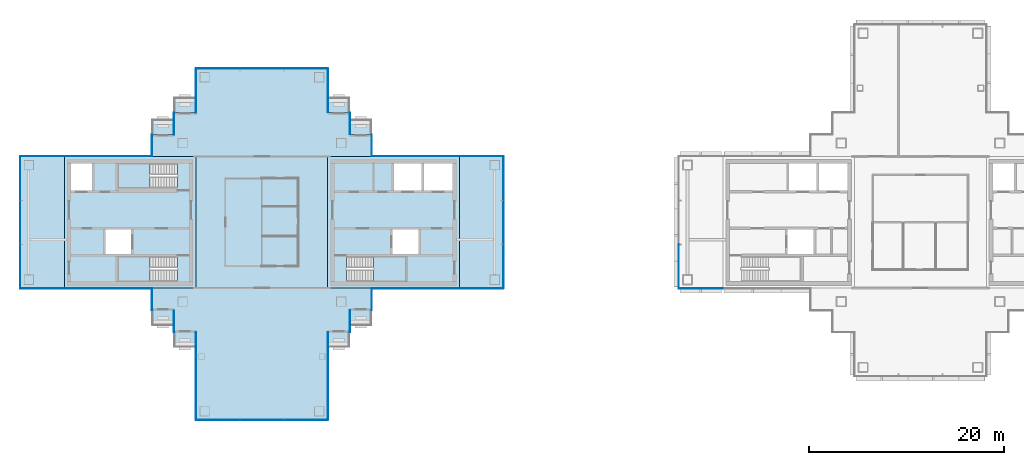
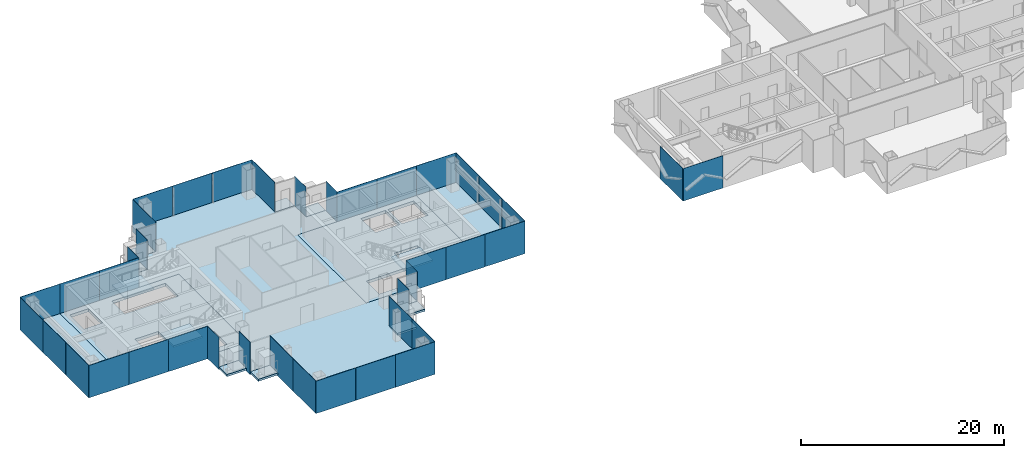
# One storey, part 7 of 17: 40 plates, 16 slabs, 25 elements without a shape of their own.
"""IFC4 building model written with IfcOpenShell, lengths in metres."""

from ifc_helpers import new_model, si_unit, direction, frame, origin, origin_2d, place, context, subcontext, project, spatial, polyline, rectangle, outline, extrude, material, layer, layer_set, type_object, element, aggregate, save


model = new_model("IFC4")

# Units and contexts
model_context = context("Model", 3, precision=1e-05, world=origin(), true_north=direction((0.0, 1.0)))
body_context = subcontext(model_context, "Body", "Model", "MODEL_VIEW")
ifc_project = project(units=[si_unit("LENGTHUNIT", "METRE"), si_unit("AREAUNIT", "SQUARE_METRE"), si_unit("VOLUMEUNIT", "CUBIC_METRE"), si_unit("PLANEANGLEUNIT", "RADIAN"), si_unit("MASSUNIT", "GRAM", prefix="KILO")], contexts=[model_context])

# Site, building, storey
site_placement = place(None, origin())
site = spatial("IfcSite", under=ifc_project, at=site_placement, CompositionType="ELEMENT")
building_placement = place(site_placement, origin())
building = spatial("IfcBuilding", under=site, at=building_placement, Name="Shamsa Quay Exchange Towers", CompositionType="ELEMENT")
storey_placement = place(building_placement, frame((0.0, 0.0, 217.800048828125)))
storey = spatial("IfcBuildingStorey", under=building, at=storey_placement, Name="L52", CompositionType="ELEMENT", Elevation=217.800048828125)

# Slabs
ifc_material_1 = material(Name="Precast concrete C40/50", Category="concrete")
ifc_layer_1 = layer(ifc_material_1, 0.25)
ifc_layer_set_1 = layer_set([ifc_layer_1], Name="BALCONY SLAB 250")
slab_type_1 = type_object("IfcSlabType", Name="BALCONY SLAB 250", PredefinedType="FLOOR", material=ifc_layer_set_1)
slab_1_placement = place(storey_placement, frame((0.0, 0.0, -0.25)))
element("IfcSlab", 1, at=slab_1_placement, inside=storey, type_object=slab_type_1, Name="Balcony T1-PKEN L52", PredefinedType="FLOOR", context=body_context, shape_type="SweptSolid", body=[
    extrude(outline(polyline([(-22.5, 9.0), (-24.7119140625, 9.0), (-24.7119140625, 10.550048828125), (-22.5, 10.550048828125), (-22.5, 9.0)])), origin(), (0.0, 0.0, 1.0), 0.25),
])
slab_2_placement = place(storey_placement, frame((0.0, 0.0, -0.25)))
element("IfcSlab", 2, at=slab_2_placement, inside=storey, type_object=slab_type_1, Name="Balcony T1-PKEN L52", PredefinedType="FLOOR", context=body_context, shape_type="SweptSolid", body=[
    extrude(outline(polyline([(-24.75, 11.25), (-26.9619140625, 11.25), (-26.9619140625, 12.800048828125), (-24.75, 12.800048828125), (-24.75, 11.25)])), origin(), (0.0, 0.0, 1.0), 0.25),
])
slab_3_placement = place(storey_placement, frame((0.0, 0.0, -0.25)))
element("IfcSlab", 3, at=slab_3_placement, inside=storey, type_object=slab_type_1, Name="Balcony T1-PKES L52", PredefinedType="FLOOR", context=body_context, shape_type="SweptSolid", body=[
    extrude(outline(polyline([(-24.7119140625, -9.0), (-22.5, -9.0), (-22.5, -10.550048828125), (-24.7119140625, -10.550048828125), (-24.7119140625, -9.0)])), origin(), (0.0, 0.0, 1.0), 0.25),
])
slab_4_placement = place(storey_placement, frame((0.0, 0.0, -0.25)))
element("IfcSlab", 4, at=slab_4_placement, inside=storey, type_object=slab_type_1, Name="Balcony T1-PKES L52", PredefinedType="FLOOR", context=body_context, shape_type="SweptSolid", body=[
    extrude(outline(polyline([(-26.9619140625, -11.25), (-24.75, -11.25), (-24.75, -12.800048828125), (-26.9619140625, -12.800048828125), (-26.9619140625, -11.25)])), origin(), (0.0, 0.0, 1.0), 0.25),
])
slab_5_placement = place(storey_placement, frame((0.0, 0.0, -0.25)))
element("IfcSlab", 5, at=slab_5_placement, inside=storey, type_object=slab_type_1, Name="Balcony T1-PKWN L52", PredefinedType="FLOOR", context=body_context, shape_type="SweptSolid", body=[
    extrude(outline(polyline([(-40.5380859375, 11.25), (-42.75, 11.25), (-42.75, 12.800048828125), (-40.5380859375, 12.800048828125), (-40.5380859375, 11.25)])), origin(), (0.0, 0.0, 1.0), 0.25),
])
slab_6_placement = place(storey_placement, frame((0.0, 0.0, -0.25)))
element("IfcSlab", 6, at=slab_6_placement, inside=storey, type_object=slab_type_1, Name="Balcony T1-PKWN L52", PredefinedType="FLOOR", context=body_context, shape_type="SweptSolid", body=[
    extrude(outline(polyline([(-42.7880859375, 9.0), (-45.0, 9.0), (-45.0, 10.550048828125), (-42.7880859375, 10.550048828125), (-42.7880859375, 9.0)])), origin(), (0.0, 0.0, 1.0), 0.25),
])
slab_7_placement = place(storey_placement, frame((0.0, 0.0, -0.25)))
element("IfcSlab", 7, at=slab_7_placement, inside=storey, type_object=slab_type_1, Name="Balcony T1-PKWS L52", PredefinedType="FLOOR", context=body_context, shape_type="SweptSolid", body=[
    extrude(outline(polyline([(-45.0, -9.0), (-42.7880859375, -9.0), (-42.7880859375, -10.550048828125), (-45.0, -10.550048828125), (-45.0, -9.0)])), origin(), (0.0, 0.0, 1.0), 0.25),
])
slab_8_placement = place(storey_placement, frame((0.0, 0.0, -0.25)))
element("IfcSlab", 8, at=slab_8_placement, inside=storey, type_object=slab_type_1, Name="Balcony T1-PKWS L52", PredefinedType="FLOOR", context=body_context, shape_type="SweptSolid", body=[
    extrude(outline(polyline([(-42.75, -11.25), (-40.5380859375, -11.25), (-40.5380859375, -12.800048828125), (-42.75, -12.800048828125), (-42.75, -11.25)])), origin(), (0.0, 0.0, 1.0), 0.25),
])
ifc_material_2 = material(Name="Concrete C50/60", Category="concrete")
ifc_layer_2 = layer(ifc_material_2, 0.35009765625)
ifc_layer_set_2 = layer_set([ifc_layer_2], Name="CORE FLOOR 350 C50/60")
slab_type_2 = type_object("IfcSlabType", Name="CORE FLOOR 350 C50/60", PredefinedType="FLOOR", material=ifc_layer_set_2)
slab_9_placement = place(storey_placement, frame((0.0, 0.0, -0.35009765625)))
element("IfcSlab", 9, at=slab_9_placement, inside=storey, type_object=slab_type_2, Name="Core floor T1A", PredefinedType="FLOOR", context=body_context, shape_type="SweptSolid", body=[
    extrude(outline(polyline([(-27.0, -6.75), (-13.5, -6.75), (-13.5, 6.75), (-27.0, 6.75), (-27.0, -6.75)]), holes=[polyline([(-25.099365234375, -6.050048828125), (-25.099365234375, -3.5), (-19.0, -3.5), (-19.0, -6.050048828125), (-25.099365234375, -6.050048828125)]), polyline([(-20.199951171875, 3.25), (-20.199951171875, 6.050048828125), (-17.39990234375, 6.050048828125), (-17.39990234375, 3.25), (-20.199951171875, 3.25)]), polyline([(-17.14990234375, 3.25), (-17.14990234375, 6.050048828125), (-14.199951171875, 6.050048828125), (-14.199951171875, 3.25), (-17.14990234375, 3.25)]), polyline([(-20.35009765625, -3.25), (-20.35009765625, -0.75), (-17.699951171875, -0.75), (-17.699951171875, -3.25), (-20.35009765625, -3.25)])]), origin(), (0.0, 0.0, 1.0), 0.35009765625),
])
slab_10_placement = place(storey_placement, frame((0.0, 0.0, -0.35009765625)))
element("IfcSlab", 10, at=slab_10_placement, inside=storey, type_object=slab_type_2, Name="Core floor T1B", PredefinedType="FLOOR", context=body_context, shape_type="SweptSolid", body=[
    extrude(outline(polyline([(-40.5, -6.75), (-40.5, 6.75), (-54.0, 6.75), (-54.0, -6.75), (-40.5, -6.75)]), holes=[polyline([(-42.400634765625, -3.5), (-42.400634765625, -6.050048828125), (-48.5, -6.050048828125), (-48.5, -3.5), (-42.400634765625, -3.5)]), polyline([(-42.400634765625, 6.050048828125), (-42.400634765625, 3.5), (-48.5, 3.5), (-48.5, 6.050048828125), (-42.400634765625, 6.050048828125)]), polyline([(-51.14990234375, 3.25), (-53.300048828125, 3.25), (-53.300048828125, 6.050048828125), (-51.14990234375, 6.050048828125), (-51.14990234375, 3.25)]), polyline([(-47.14990234375, -3.25), (-49.800048828125, -3.25), (-49.800048828125, -0.75), (-47.14990234375, -0.75), (-47.14990234375, -3.25)])]), origin(), (0.0, 0.0, 1.0), 0.35009765625),
])

# Stair, slab
ifc_material_3 = material(Name="Concrete C40/50", Category="concrete")
stair_type = type_object("IfcStairType", Name="EXIT STAIR 22 RISERS 177 MM", PredefinedType="HALF_TURN_STAIR", material=ifc_material_3)
stair_1_placement = place(storey_placement, origin())
stair_1 = element("IfcStair", 11, at=stair_1_placement, inside=storey, type_object=stair_type, Name="L52 Exit stair ST1", PredefinedType="HALF_TURN_STAIR")
ifc_layer_3 = layer(ifc_material_3, 0.199951171875)
ifc_layer_set_3 = layer_set([ifc_layer_3], Name="CORE STAIR LANDING")
slab_type_3 = type_object("IfcSlabType", Name="CORE STAIR LANDING", PredefinedType="LANDING", material=ifc_layer_set_3)
slab_11_placement = place(storey_placement, frame((0.0, 0.0, 1.75)))
slab_11 = element("IfcSlab", 12, at=slab_11_placement, type_object=slab_type_3, Name="ST1 landing 1", PredefinedType="LANDING", context=body_context, shape_type="SweptSolid", body=[
    extrude(outline(polyline([(-22.300048828125, -6.050048828125), (-19.0, -6.050048828125), (-19.0, -3.5), (-22.300048828125, -3.5), (-22.300048828125, -6.050048828125)])), origin(), (0.0, 0.0, 1.0), 0.199951171875),
])
aggregate(stair_1, [slab_11])

stair_2_placement = place(storey_placement, origin())
stair_2 = element("IfcStair", 13, at=stair_2_placement, inside=storey, type_object=stair_type, Name="L52 Exit stair ST2", PredefinedType="HALF_TURN_STAIR")
slab_12_placement = place(storey_placement, frame((0.0, 0.0, 1.75)))
slab_12 = element("IfcSlab", 14, at=slab_12_placement, type_object=slab_type_3, Name="ST2 landing 1", PredefinedType="LANDING", context=body_context, shape_type="SweptSolid", body=[
    extrude(outline(polyline([(-45.199951171875, -3.5), (-48.5, -3.5), (-48.5, -6.050048828125), (-45.199951171875, -6.050048828125), (-45.199951171875, -3.5)])), origin(), (0.0, 0.0, 1.0), 0.199951171875),
])
aggregate(stair_2, [slab_12])

stair_3_placement = place(storey_placement, origin())
stair_3 = element("IfcStair", 15, at=stair_3_placement, inside=storey, type_object=stair_type, Name="L52 Exit stair ST3", PredefinedType="HALF_TURN_STAIR")
slab_13_placement = place(storey_placement, frame((0.0, 0.0, 1.75)))
slab_13 = element("IfcSlab", 16, at=slab_13_placement, type_object=slab_type_3, Name="ST3 landing 1", PredefinedType="LANDING", context=body_context, shape_type="SweptSolid", body=[
    extrude(outline(polyline([(-45.199951171875, 6.050048828125), (-48.5, 6.050048828125), (-48.5, 3.5), (-45.199951171875, 3.5), (-45.199951171875, 6.050048828125)])), origin(), (0.0, 0.0, 1.0), 0.199951171875),
])
aggregate(stair_3, [slab_13])

# Curtain wall, plates
ifc_material_4 = material(Name="Aluminium EN AW-6063 T6, black anodised", Category="aluminium")
ifc_layer_4 = layer(ifc_material_4, 0.280029296875)
ifc_layer_set_4 = layer_set([ifc_layer_4], Name="CW-1 UNITISED VISION GLASS")
curtain_wall_type_1 = type_object("IfcCurtainWallType", Name="CW-1 UNITISED VISION GLASS", PredefinedType="NOTDEFINED", material=ifc_layer_set_4)
curtain_wall_1_placement = place(storey_placement, origin())
curtain_wall_1 = element("IfcCurtainWall", 17, at=curtain_wall_1_placement, inside=storey, type_object=curtain_wall_type_1, Name="CW1 T1-FLK-V-W L52", PredefinedType="NOTDEFINED")
ifc_material_5 = material(Name="Glass, laminated, dark tinted", Category="glass")
ifc_layer_5 = layer(ifc_material_5, 0.0400390625)
ifc_layer_set_5 = layer_set([ifc_layer_5], Name="CW-1 VISION GLASS 40")
plate_type_1 = type_object("IfcPlateType", Name="CW-1 VISION GLASS 40", PredefinedType="CURTAIN_PANEL", material=ifc_layer_set_5)
plate_1_placement = place(storey_placement, frame((-40.52001953125, -13.52587890625, -0.35009765625), z_axis=(0.0, 0.0, 1.0), x_axis=(0.0, -1.0, 0.0)))
plate_1 = element("IfcPlate", 18, at=plate_1_placement, type_object=plate_type_1, Name="CW1 glass panel", PredefinedType="CURTAIN_PANEL", context=body_context, shape_type="SweptSolid", body=[
    extrude(rectangle(XDim=4.47607421875, YDim=0.0400390625, at=origin_2d()), origin(), (0.0, 0.0, 1.0), 3.89990234375),
])
plate_2_placement = place(storey_placement, frame((-40.52001953125, -18.011962890625, -0.35009765625), z_axis=(0.0, 0.0, 1.0), x_axis=(0.0, -1.0, 0.0)))
plate_2 = element("IfcPlate", 19, at=plate_2_placement, type_object=plate_type_1, Name="CW1 glass panel", PredefinedType="CURTAIN_PANEL", context=body_context, shape_type="SweptSolid", body=[
    extrude(rectangle(XDim=4.47607421875, YDim=0.0400390625, at=origin_2d()), origin(), (0.0, 0.0, 1.0), 3.89990234375),
])
aggregate(curtain_wall_1, [plate_1, plate_2])

curtain_wall_2_placement = place(storey_placement, origin())
curtain_wall_2 = element("IfcCurtainWall", 20, at=curtain_wall_2_placement, inside=storey, type_object=curtain_wall_type_1, Name="CW1 T1-END-V- L52", PredefinedType="NOTDEFINED")
plate_3_placement = place(storey_placement, frame((-38.25244140625, -20.27001953125, -0.35009765625)))
plate_3 = element("IfcPlate", 21, at=plate_3_placement, type_object=plate_type_1, Name="CW1 glass panel", PredefinedType="CURTAIN_PANEL", context=body_context, shape_type="SweptSolid", body=[
    extrude(rectangle(XDim=4.4951171875, YDim=0.0400390625, at=origin_2d()), origin(), (0.0, 0.0, 1.0), 3.89990234375),
])
plate_4_placement = place(storey_placement, frame((-33.75, -20.27001953125, -0.35009765625)))
plate_4 = element("IfcPlate", 22, at=plate_4_placement, type_object=plate_type_1, Name="CW1 glass panel", PredefinedType="CURTAIN_PANEL", context=body_context, shape_type="SweptSolid", body=[
    extrude(rectangle(XDim=4.489990234375, YDim=0.0400390625, at=origin_2d()), origin(), (0.0, 0.0, 1.0), 3.89990234375),
])
plate_5_placement = place(storey_placement, frame((-29.24755859375, -20.27001953125, -0.35009765625)))
plate_5 = element("IfcPlate", 23, at=plate_5_placement, type_object=plate_type_1, Name="CW1 glass panel", PredefinedType="CURTAIN_PANEL", context=body_context, shape_type="SweptSolid", body=[
    extrude(rectangle(XDim=4.4951171875, YDim=0.0400390625, at=origin_2d()), origin(), (0.0, 0.0, 1.0), 3.89990234375),
])
aggregate(curtain_wall_2, [plate_3, plate_4, plate_5])

curtain_wall_3_placement = place(storey_placement, origin())
curtain_wall_3 = element("IfcCurtainWall", 24, at=curtain_wall_3_placement, inside=storey, type_object=curtain_wall_type_1, Name="CW1 T1-FLK-V-E L52", PredefinedType="NOTDEFINED")
plate_6_placement = place(storey_placement, frame((-26.97998046875, -18.00244140625, -0.35009765625), z_axis=(0.0, 0.0, 1.0), x_axis=(0.0, 1.0, 0.0)))
plate_6 = element("IfcPlate", 25, at=plate_6_placement, type_object=plate_type_1, Name="CW1 glass panel", PredefinedType="CURTAIN_PANEL", context=body_context, shape_type="SweptSolid", body=[
    extrude(rectangle(XDim=4.4951171875, YDim=0.0400390625, at=origin_2d()), origin(), (0.0, 0.0, 1.0), 3.89990234375),
])
plate_7_placement = place(storey_placement, frame((-26.97998046875, -13.49755859375, -0.35009765625), z_axis=(0.0, 0.0, 1.0), x_axis=(0.0, 1.0, 0.0)))
plate_7 = element("IfcPlate", 26, at=plate_7_placement, type_object=plate_type_1, Name="CW1 glass panel", PredefinedType="CURTAIN_PANEL", context=body_context, shape_type="SweptSolid", body=[
    extrude(rectangle(XDim=4.4951171875, YDim=0.0400390625, at=origin_2d()), origin(), (0.0, 0.0, 1.0), 3.89990234375),
])
aggregate(curtain_wall_3, [plate_6, plate_7])

# Curtain wall, plate
curtain_wall_4_placement = place(storey_placement, origin())
curtain_wall_4 = element("IfcCurtainWall", 27, at=curtain_wall_4_placement, inside=storey, type_object=curtain_wall_type_1, Name="CW1 T1-FLK-U+S L52", PredefinedType="NOTDEFINED")
plate_8_placement = place(storey_placement, frame((-11.25, -6.77001953125, -0.35009765625)))
plate_8 = element("IfcPlate", 28, at=plate_8_placement, type_object=plate_type_1, Name="CW1 glass panel", PredefinedType="CURTAIN_PANEL", context=body_context, shape_type="SweptSolid", body=[
    extrude(rectangle(XDim=4.5, YDim=0.0400390625, at=origin_2d()), origin(), (0.0, 0.0, 1.0), 3.89990234375),
])
aggregate(curtain_wall_4, [plate_8])

# Curtain wall, plates
curtain_wall_5_placement = place(storey_placement, origin())
curtain_wall_5 = element("IfcCurtainWall", 29, at=curtain_wall_5_placement, inside=storey, type_object=curtain_wall_type_1, Name="CW1 T1-END-U+ L52", PredefinedType="NOTDEFINED")
plate_9_placement = place(storey_placement, frame((-8.97998046875, -4.50244140625, -0.35009765625), z_axis=(0.0, 0.0, 1.0), x_axis=(0.0, 1.0, 0.0)))
plate_9 = element("IfcPlate", 30, at=plate_9_placement, type_object=plate_type_1, Name="CW1 glass panel", PredefinedType="CURTAIN_PANEL", context=body_context, shape_type="SweptSolid", body=[
    extrude(rectangle(XDim=4.4951171875, YDim=0.0400390625, at=origin_2d()), origin(), (0.0, 0.0, 1.0), 3.89990234375),
])
plate_10_placement = place(storey_placement, frame((-8.97998046875, 0.0, -0.35009765625), z_axis=(0.0, 0.0, 1.0), x_axis=(0.0, 1.0, 0.0)))
plate_10 = element("IfcPlate", 31, at=plate_10_placement, type_object=plate_type_1, Name="CW1 glass panel", PredefinedType="CURTAIN_PANEL", context=body_context, shape_type="SweptSolid", body=[
    extrude(rectangle(XDim=4.489990234375, YDim=0.0400390625, at=origin_2d()), origin(), (0.0, 0.0, 1.0), 3.89990234375),
])
plate_11_placement = place(storey_placement, frame((-8.97998046875, 4.50244140625, -0.35009765625), z_axis=(0.0, 0.0, 1.0), x_axis=(0.0, 1.0, 0.0)))
plate_11 = element("IfcPlate", 32, at=plate_11_placement, type_object=plate_type_1, Name="CW1 glass panel", PredefinedType="CURTAIN_PANEL", context=body_context, shape_type="SweptSolid", body=[
    extrude(rectangle(XDim=4.4951171875, YDim=0.0400390625, at=origin_2d()), origin(), (0.0, 0.0, 1.0), 3.89990234375),
])
aggregate(curtain_wall_5, [plate_9, plate_10, plate_11])

# Curtain wall, plate
curtain_wall_6_placement = place(storey_placement, origin())
curtain_wall_6 = element("IfcCurtainWall", 33, at=curtain_wall_6_placement, inside=storey, type_object=curtain_wall_type_1, Name="CW1 T1-FLK-U+N L52", PredefinedType="NOTDEFINED")
plate_12_placement = place(storey_placement, frame((-11.25, 6.77001953125, -0.35009765625), z_axis=(0.0, 0.0, 1.0), x_axis=(-1.0, 0.0, 0.0)))
plate_12 = element("IfcPlate", 34, at=plate_12_placement, type_object=plate_type_1, Name="CW1 glass panel", PredefinedType="CURTAIN_PANEL", context=body_context, shape_type="SweptSolid", body=[
    extrude(rectangle(XDim=4.5, YDim=0.0400390625, at=origin_2d()), origin(), (0.0, 0.0, 1.0), 3.89990234375),
])
aggregate(curtain_wall_6, [plate_12])

curtain_wall_7_placement = place(storey_placement, origin())
curtain_wall_7 = element("IfcCurtainWall", 35, at=curtain_wall_7_placement, inside=storey, type_object=curtain_wall_type_1, Name="CW1 T1-FLK-V+E L52", PredefinedType="NOTDEFINED")
plate_13_placement = place(storey_placement, frame((-26.97998046875, 13.51904296875, -0.35009765625), z_axis=(0.0, 0.0, 1.0), x_axis=(0.0, 1.0, 0.0)))
plate_13 = element("IfcPlate", 36, at=plate_13_placement, type_object=plate_type_1, Name="CW1 glass panel", PredefinedType="CURTAIN_PANEL", context=body_context, shape_type="SweptSolid", body=[
    extrude(rectangle(XDim=4.4619140625, YDim=0.0400390625, at=origin_2d()), origin(), (0.0, 0.0, 1.0), 3.89990234375),
])
aggregate(curtain_wall_7, [plate_13])

# Curtain wall, plates
curtain_wall_8_placement = place(storey_placement, origin())
curtain_wall_8 = element("IfcCurtainWall", 37, at=curtain_wall_8_placement, inside=storey, type_object=curtain_wall_type_1, Name="CW1 T1-END-V+ L52", PredefinedType="NOTDEFINED")
plate_14_placement = place(storey_placement, frame((-29.24755859375, 15.77001953125, -0.35009765625), z_axis=(0.0, 0.0, 1.0), x_axis=(-1.0, 0.0, 0.0)))
plate_14 = element("IfcPlate", 38, at=plate_14_placement, type_object=plate_type_1, Name="CW1 glass panel", PredefinedType="CURTAIN_PANEL", context=body_context, shape_type="SweptSolid", body=[
    extrude(rectangle(XDim=4.4951171875, YDim=0.0400390625, at=origin_2d()), origin(), (0.0, 0.0, 1.0), 3.89990234375),
])
plate_15_placement = place(storey_placement, frame((-33.75, 15.77001953125, -0.35009765625), z_axis=(0.0, 0.0, 1.0), x_axis=(-1.0, 0.0, 0.0)))
plate_15 = element("IfcPlate", 39, at=plate_15_placement, type_object=plate_type_1, Name="CW1 glass panel", PredefinedType="CURTAIN_PANEL", context=body_context, shape_type="SweptSolid", body=[
    extrude(rectangle(XDim=4.489990234375, YDim=0.0400390625, at=origin_2d()), origin(), (0.0, 0.0, 1.0), 3.89990234375),
])
plate_16_placement = place(storey_placement, frame((-38.25244140625, 15.77001953125, -0.35009765625), z_axis=(0.0, 0.0, 1.0), x_axis=(-1.0, 0.0, 0.0)))
plate_16 = element("IfcPlate", 40, at=plate_16_placement, type_object=plate_type_1, Name="CW1 glass panel", PredefinedType="CURTAIN_PANEL", context=body_context, shape_type="SweptSolid", body=[
    extrude(rectangle(XDim=4.4951171875, YDim=0.0400390625, at=origin_2d()), origin(), (0.0, 0.0, 1.0), 3.89990234375),
])
aggregate(curtain_wall_8, [plate_14, plate_15, plate_16])

# Curtain wall, plate
curtain_wall_9_placement = place(storey_placement, origin())
curtain_wall_9 = element("IfcCurtainWall", 41, at=curtain_wall_9_placement, inside=storey, type_object=curtain_wall_type_1, Name="CW1 T1-FLK-V+W L52", PredefinedType="NOTDEFINED")
plate_17_placement = place(storey_placement, frame((-40.52001953125, 13.5, -0.35009765625), z_axis=(0.0, 0.0, 1.0), x_axis=(0.0, -1.0, 0.0)))
plate_17 = element("IfcPlate", 42, at=plate_17_placement, type_object=plate_type_1, Name="CW1 glass panel", PredefinedType="CURTAIN_PANEL", context=body_context, shape_type="SweptSolid", body=[
    extrude(rectangle(XDim=4.5, YDim=0.0400390625, at=origin_2d()), origin(), (0.0, 0.0, 1.0), 3.89990234375),
])
aggregate(curtain_wall_9, [plate_17])

curtain_wall_10_placement = place(storey_placement, origin())
curtain_wall_10 = element("IfcCurtainWall", 43, at=curtain_wall_10_placement, inside=storey, type_object=curtain_wall_type_1, Name="CW1 T1-FLK-U-N L52", PredefinedType="NOTDEFINED")
plate_18_placement = place(storey_placement, frame((-56.25, 6.77001953125, -0.35009765625), z_axis=(0.0, 0.0, 1.0), x_axis=(-1.0, 0.0, 0.0)))
plate_18 = element("IfcPlate", 44, at=plate_18_placement, type_object=plate_type_1, Name="CW1 glass panel", PredefinedType="CURTAIN_PANEL", context=body_context, shape_type="SweptSolid", body=[
    extrude(rectangle(XDim=4.5, YDim=0.0400390625, at=origin_2d()), origin(), (0.0, 0.0, 1.0), 3.89990234375),
])
aggregate(curtain_wall_10, [plate_18])

# Curtain wall, plates
curtain_wall_11_placement = place(storey_placement, origin())
curtain_wall_11 = element("IfcCurtainWall", 45, at=curtain_wall_11_placement, inside=storey, type_object=curtain_wall_type_1, Name="CW1 T1-END-U- L52", PredefinedType="NOTDEFINED")
plate_19_placement = place(storey_placement, frame((-58.52001953125, 4.50244140625, -0.35009765625), z_axis=(0.0, 0.0, 1.0), x_axis=(0.0, -1.0, 0.0)))
plate_19 = element("IfcPlate", 46, at=plate_19_placement, type_object=plate_type_1, Name="CW1 glass panel", PredefinedType="CURTAIN_PANEL", context=body_context, shape_type="SweptSolid", body=[
    extrude(rectangle(XDim=4.4951171875, YDim=0.0400390625, at=origin_2d()), origin(), (0.0, 0.0, 1.0), 3.89990234375),
])
plate_20_placement = place(storey_placement, frame((-58.52001953125, 0.0, -0.35009765625), z_axis=(0.0, 0.0, 1.0), x_axis=(0.0, -1.0, 0.0)))
plate_20 = element("IfcPlate", 47, at=plate_20_placement, type_object=plate_type_1, Name="CW1 glass panel", PredefinedType="CURTAIN_PANEL", context=body_context, shape_type="SweptSolid", body=[
    extrude(rectangle(XDim=4.489990234375, YDim=0.0400390625, at=origin_2d()), origin(), (0.0, 0.0, 1.0), 3.89990234375),
])
plate_21_placement = place(storey_placement, frame((-58.52001953125, -4.50244140625, -0.35009765625), z_axis=(0.0, 0.0, 1.0), x_axis=(0.0, -1.0, 0.0)))
plate_21 = element("IfcPlate", 48, at=plate_21_placement, type_object=plate_type_1, Name="CW1 glass panel", PredefinedType="CURTAIN_PANEL", context=body_context, shape_type="SweptSolid", body=[
    extrude(rectangle(XDim=4.4951171875, YDim=0.0400390625, at=origin_2d()), origin(), (0.0, 0.0, 1.0), 3.89990234375),
])
aggregate(curtain_wall_11, [plate_19, plate_20, plate_21])

# Curtain wall, plate
curtain_wall_12_placement = place(storey_placement, origin())
curtain_wall_12 = element("IfcCurtainWall", 49, at=curtain_wall_12_placement, inside=storey, type_object=curtain_wall_type_1, Name="CW1 T1-FLK-U-S L52", PredefinedType="NOTDEFINED")
plate_22_placement = place(storey_placement, frame((-56.25, -6.77001953125, -0.35009765625)))
plate_22 = element("IfcPlate", 50, at=plate_22_placement, type_object=plate_type_1, Name="CW1 glass panel", PredefinedType="CURTAIN_PANEL", context=body_context, shape_type="SweptSolid", body=[
    extrude(rectangle(XDim=4.5, YDim=0.0400390625, at=origin_2d()), origin(), (0.0, 0.0, 1.0), 3.89990234375),
])
aggregate(curtain_wall_12, [plate_22])

curtain_wall_13_placement = place(storey_placement, origin())
curtain_wall_13 = element("IfcCurtainWall", 51, at=curtain_wall_13_placement, inside=storey, type_object=curtain_wall_type_1, Name="CW1 T2-END-V+ L52", PredefinedType="NOTDEFINED")
plate_23_placement = place(storey_placement, frame((8.97998046875, -4.50244140625, -0.35009765625), z_axis=(0.0, 0.0, 1.0), x_axis=(0.0, -1.0, 0.0)))
plate_23 = element("IfcPlate", 52, at=plate_23_placement, type_object=plate_type_1, Name="CW1 glass panel", PredefinedType="CURTAIN_PANEL", context=body_context, shape_type="SweptSolid", body=[
    extrude(rectangle(XDim=4.4951171875, YDim=0.0400390625, at=origin_2d()), origin(), (0.0, 0.0, 1.0), 3.89990234375),
])
aggregate(curtain_wall_13, [plate_23])

curtain_wall_14_placement = place(storey_placement, origin())
curtain_wall_14 = element("IfcCurtainWall", 53, at=curtain_wall_14_placement, inside=storey, type_object=curtain_wall_type_1, Name="CW1 T2-FLK-V+W L52", PredefinedType="NOTDEFINED")
plate_24_placement = place(storey_placement, frame((11.25, -6.77001953125, -0.35009765625)))
plate_24 = element("IfcPlate", 54, at=plate_24_placement, type_object=plate_type_1, Name="CW1 glass panel", PredefinedType="CURTAIN_PANEL", context=body_context, shape_type="SweptSolid", body=[
    extrude(rectangle(XDim=4.5, YDim=0.0400390625, at=origin_2d()), origin(), (0.0, 0.0, 1.0), 3.89990234375),
])
aggregate(curtain_wall_14, [plate_24])

# Curtain wall, plates
ifc_layer_6 = layer(ifc_material_4, 0.303955078125)
ifc_layer_set_6 = layer_set([ifc_layer_6], Name="CW-2 UNITISED OPAQUE SPANDREL GLASS")
curtain_wall_type_2 = type_object("IfcCurtainWallType", Name="CW-2 UNITISED OPAQUE SPANDREL GLASS", PredefinedType="NOTDEFINED", material=ifc_layer_set_6)
curtain_wall_15_placement = place(storey_placement, origin())
curtain_wall_15 = element("IfcCurtainWall", 55, at=curtain_wall_15_placement, inside=storey, type_object=curtain_wall_type_2, Name="CW2 T1-FLK-U+S L52", PredefinedType="NOTDEFINED")
ifc_material_6 = material(Name="Glass, laminated, black enamelled opaque", Category="glass")
ifc_layer_7 = layer(ifc_material_6, 0.0439453125)
ifc_layer_set_7 = layer_set([ifc_layer_7], Name="CW-2 SPANDREL GLASS 44")
plate_type_2 = type_object("IfcPlateType", Name="CW-2 SPANDREL GLASS 44", PredefinedType="CURTAIN_PANEL", material=ifc_layer_set_7)
plate_25_placement = place(storey_placement, frame((-20.22412109375, -6.77197265625, -0.35009765625)))
plate_25 = element("IfcPlate", 56, at=plate_25_placement, type_object=plate_type_2, Name="CW2 glass panel", PredefinedType="CURTAIN_PANEL", context=body_context, shape_type="SweptSolid", body=[
    extrude(rectangle(XDim=4.47607421875, YDim=0.0439453125, at=origin_2d()), origin(), (0.0, 0.0, 1.0), 3.89990234375),
])
plate_26_placement = place(storey_placement, frame((-15.738037109375, -6.77197265625, -0.35009765625)))
plate_26 = element("IfcPlate", 57, at=plate_26_placement, type_object=plate_type_2, Name="CW2 glass panel", PredefinedType="CURTAIN_PANEL", context=body_context, shape_type="SweptSolid", body=[
    extrude(rectangle(XDim=4.47607421875, YDim=0.0439453125, at=origin_2d()), origin(), (0.0, 0.0, 1.0), 3.89990234375),
])
aggregate(curtain_wall_15, [plate_25, plate_26])

curtain_wall_16_placement = place(storey_placement, origin())
curtain_wall_16 = element("IfcCurtainWall", 58, at=curtain_wall_16_placement, inside=storey, type_object=curtain_wall_type_2, Name="CW2 T1-FLK-U+N L52", PredefinedType="NOTDEFINED")
plate_27_placement = place(storey_placement, frame((-15.74755859375, 6.77197265625, -0.35009765625), z_axis=(0.0, 0.0, 1.0), x_axis=(-1.0, 0.0, 0.0)))
plate_27 = element("IfcPlate", 59, at=plate_27_placement, type_object=plate_type_2, Name="CW2 glass panel", PredefinedType="CURTAIN_PANEL", context=body_context, shape_type="SweptSolid", body=[
    extrude(rectangle(XDim=4.4951171875, YDim=0.0439453125, at=origin_2d()), origin(), (0.0, 0.0, 1.0), 3.89990234375),
])
plate_28_placement = place(storey_placement, frame((-20.25244140625, 6.77197265625, -0.35009765625), z_axis=(0.0, 0.0, 1.0), x_axis=(-1.0, 0.0, 0.0)))
plate_28 = element("IfcPlate", 60, at=plate_28_placement, type_object=plate_type_2, Name="CW2 glass panel", PredefinedType="CURTAIN_PANEL", context=body_context, shape_type="SweptSolid", body=[
    extrude(rectangle(XDim=4.4951171875, YDim=0.0439453125, at=origin_2d()), origin(), (0.0, 0.0, 1.0), 3.89990234375),
])
aggregate(curtain_wall_16, [plate_27, plate_28])

curtain_wall_17_placement = place(storey_placement, origin())
curtain_wall_17 = element("IfcCurtainWall", 61, at=curtain_wall_17_placement, inside=storey, type_object=curtain_wall_type_2, Name="CW2 T1-FLK-U-N L52", PredefinedType="NOTDEFINED")
plate_29_placement = place(storey_placement, frame((-47.27587890625, 6.77197265625, -0.35009765625), z_axis=(0.0, 0.0, 1.0), x_axis=(-1.0, 0.0, 0.0)))
plate_29 = element("IfcPlate", 62, at=plate_29_placement, type_object=plate_type_2, Name="CW2 glass panel", PredefinedType="CURTAIN_PANEL", context=body_context, shape_type="SweptSolid", body=[
    extrude(rectangle(XDim=4.47607421875, YDim=0.0439453125, at=origin_2d()), origin(), (0.0, 0.0, 1.0), 3.89990234375),
])
plate_30_placement = place(storey_placement, frame((-51.761962890625, 6.77197265625, -0.35009765625), z_axis=(0.0, 0.0, 1.0), x_axis=(-1.0, 0.0, 0.0)))
plate_30 = element("IfcPlate", 63, at=plate_30_placement, type_object=plate_type_2, Name="CW2 glass panel", PredefinedType="CURTAIN_PANEL", context=body_context, shape_type="SweptSolid", body=[
    extrude(rectangle(XDim=4.47607421875, YDim=0.0439453125, at=origin_2d()), origin(), (0.0, 0.0, 1.0), 3.89990234375),
])
aggregate(curtain_wall_17, [plate_29, plate_30])

curtain_wall_18_placement = place(storey_placement, origin())
curtain_wall_18 = element("IfcCurtainWall", 64, at=curtain_wall_18_placement, inside=storey, type_object=curtain_wall_type_2, Name="CW2 T1-FLK-U-S L52", PredefinedType="NOTDEFINED")
plate_31_placement = place(storey_placement, frame((-51.75244140625, -6.77197265625, -0.35009765625)))
plate_31 = element("IfcPlate", 65, at=plate_31_placement, type_object=plate_type_2, Name="CW2 glass panel", PredefinedType="CURTAIN_PANEL", context=body_context, shape_type="SweptSolid", body=[
    extrude(rectangle(XDim=4.4951171875, YDim=0.0439453125, at=origin_2d()), origin(), (0.0, 0.0, 1.0), 3.89990234375),
])
plate_32_placement = place(storey_placement, frame((-47.24755859375, -6.77197265625, -0.35009765625)))
plate_32 = element("IfcPlate", 66, at=plate_32_placement, type_object=plate_type_2, Name="CW2 glass panel", PredefinedType="CURTAIN_PANEL", context=body_context, shape_type="SweptSolid", body=[
    extrude(rectangle(XDim=4.4951171875, YDim=0.0439453125, at=origin_2d()), origin(), (0.0, 0.0, 1.0), 3.89990234375),
])
aggregate(curtain_wall_18, [plate_31, plate_32])

ifc_layer_8 = layer(ifc_material_4, 0.256103515625)
ifc_layer_set_8 = layer_set([ifc_layer_8], Name="CW-4 POCKET SERRATED GLAZING")
curtain_wall_type_3 = type_object("IfcCurtainWallType", Name="CW-4 POCKET SERRATED GLAZING", PredefinedType="NOTDEFINED", material=ifc_layer_set_8)
curtain_wall_19_placement = place(storey_placement, origin())
curtain_wall_19 = element("IfcCurtainWall", 67, at=curtain_wall_19_placement, inside=storey, type_object=curtain_wall_type_3, Name="CW4 PKWS L52", PredefinedType="NOTDEFINED")
ifc_layer_9 = layer(ifc_material_5, 0.035888671875)
ifc_layer_set_9 = layer_set([ifc_layer_9], Name="CW-4 POCKET GLASS 36")
plate_type_3 = type_object("IfcPlateType", Name="CW-4 POCKET GLASS 36", PredefinedType="CURTAIN_PANEL", material=ifc_layer_set_9)
plate_33_placement = place(storey_placement, frame((-42.76806640625, -10.14404296875, -0.35009765625), z_axis=(0.0, 0.0, 1.0), x_axis=(0.0, -1.0, 0.0)))
plate_33 = element("IfcPlate", 68, at=plate_33_placement, type_object=plate_type_3, Name="CW4 glass panel", PredefinedType="CURTAIN_PANEL", context=body_context, shape_type="SweptSolid", body=[
    extrude(rectangle(XDim=2.2119140625, YDim=0.035888671875, at=origin_2d()), origin(), (0.0, 0.0, 1.0), 3.89990234375),
])
plate_34_placement = place(storey_placement, frame((-45.01806640625, -7.89794921875, -0.35009765625), z_axis=(0.0, 0.0, 1.0), x_axis=(0.0, -1.0, 0.0)))
plate_34 = element("IfcPlate", 69, at=plate_34_placement, type_object=plate_type_3, Name="CW4 glass panel", PredefinedType="CURTAIN_PANEL", context=body_context, shape_type="SweptSolid", body=[
    extrude(rectangle(XDim=2.2041015625, YDim=0.035888671875, at=origin_2d()), origin(), (0.0, 0.0, 1.0), 3.89990234375),
])
aggregate(curtain_wall_19, [plate_33, plate_34])

curtain_wall_20_placement = place(storey_placement, origin())
curtain_wall_20 = element("IfcCurtainWall", 70, at=curtain_wall_20_placement, inside=storey, type_object=curtain_wall_type_3, Name="CW4 PKES L52", PredefinedType="NOTDEFINED")
plate_35_placement = place(storey_placement, frame((-24.73193359375, -10.125, -0.35009765625), z_axis=(0.0, 0.0, 1.0), x_axis=(0.0, 1.0, 0.0)))
plate_35 = element("IfcPlate", 71, at=plate_35_placement, type_object=plate_type_3, Name="CW4 glass panel", PredefinedType="CURTAIN_PANEL", context=body_context, shape_type="SweptSolid", body=[
    extrude(rectangle(XDim=2.25, YDim=0.035888671875, at=origin_2d()), origin(), (0.0, 0.0, 1.0), 3.89990234375),
])
plate_36_placement = place(storey_placement, frame((-22.48193359375, -7.875, -0.35009765625), z_axis=(0.0, 0.0, 1.0), x_axis=(0.0, 1.0, 0.0)))
plate_36 = element("IfcPlate", 72, at=plate_36_placement, type_object=plate_type_3, Name="CW4 glass panel", PredefinedType="CURTAIN_PANEL", context=body_context, shape_type="SweptSolid", body=[
    extrude(rectangle(XDim=2.25, YDim=0.035888671875, at=origin_2d()), origin(), (0.0, 0.0, 1.0), 3.89990234375),
])
aggregate(curtain_wall_20, [plate_35, plate_36])

curtain_wall_21_placement = place(storey_placement, origin())
curtain_wall_21 = element("IfcCurtainWall", 73, at=curtain_wall_21_placement, inside=storey, type_object=curtain_wall_type_3, Name="CW4 PKEN L52", PredefinedType="NOTDEFINED")
plate_37_placement = place(storey_placement, frame((-22.48193359375, 7.89794921875, -0.35009765625), z_axis=(0.0, 0.0, 1.0), x_axis=(0.0, 1.0, 0.0)))
plate_37 = element("IfcPlate", 74, at=plate_37_placement, type_object=plate_type_3, Name="CW4 glass panel", PredefinedType="CURTAIN_PANEL", context=body_context, shape_type="SweptSolid", body=[
    extrude(rectangle(XDim=2.2041015625, YDim=0.035888671875, at=origin_2d()), origin(), (0.0, 0.0, 1.0), 3.89990234375),
])
plate_38_placement = place(storey_placement, frame((-24.73193359375, 10.14404296875, -0.35009765625), z_axis=(0.0, 0.0, 1.0), x_axis=(0.0, 1.0, 0.0)))
plate_38 = element("IfcPlate", 75, at=plate_38_placement, type_object=plate_type_3, Name="CW4 glass panel", PredefinedType="CURTAIN_PANEL", context=body_context, shape_type="SweptSolid", body=[
    extrude(rectangle(XDim=2.2119140625, YDim=0.035888671875, at=origin_2d()), origin(), (0.0, 0.0, 1.0), 3.89990234375),
])
aggregate(curtain_wall_21, [plate_37, plate_38])

curtain_wall_22_placement = place(storey_placement, origin())
curtain_wall_22 = element("IfcCurtainWall", 76, at=curtain_wall_22_placement, inside=storey, type_object=curtain_wall_type_3, Name="CW4 PKWN L52", PredefinedType="NOTDEFINED")
plate_39_placement = place(storey_placement, frame((-42.76806640625, 10.125, -0.35009765625), z_axis=(0.0, 0.0, 1.0), x_axis=(0.0, -1.0, 0.0)))
plate_39 = element("IfcPlate", 77, at=plate_39_placement, type_object=plate_type_3, Name="CW4 glass panel", PredefinedType="CURTAIN_PANEL", context=body_context, shape_type="SweptSolid", body=[
    extrude(rectangle(XDim=2.25, YDim=0.035888671875, at=origin_2d()), origin(), (0.0, 0.0, 1.0), 3.89990234375),
])
plate_40_placement = place(storey_placement, frame((-45.01806640625, 7.875, -0.35009765625), z_axis=(0.0, 0.0, 1.0), x_axis=(0.0, -1.0, 0.0)))
plate_40 = element("IfcPlate", 78, at=plate_40_placement, type_object=plate_type_3, Name="CW4 glass panel", PredefinedType="CURTAIN_PANEL", context=body_context, shape_type="SweptSolid", body=[
    extrude(rectangle(XDim=2.25, YDim=0.035888671875, at=origin_2d()), origin(), (0.0, 0.0, 1.0), 3.89990234375),
])
aggregate(curtain_wall_22, [plate_39, plate_40])

# Slabs
ifc_layer_10 = layer(ifc_material_3, 0.35009765625)
ifc_layer_set_10 = layer_set([ifc_layer_10], Name="Flat slab 350")
slab_type_4 = type_object("IfcSlabType", Name="Flat slab 350", PredefinedType="FLOOR", material=ifc_layer_set_10)
slab_14_placement = place(storey_placement, frame((0.0, 0.0, -0.35009765625)))
element("IfcSlab", 79, at=slab_14_placement, inside=storey, type_object=slab_type_4, Name="Flat slab T1 L52 1", PredefinedType="FLOOR", context=body_context, shape_type="SweptSolid", body=[
    extrude(outline(polyline([(-58.5, -6.75), (-54.0, -6.75), (-54.0, 6.75), (-58.5, 6.75), (-58.5, -6.75)])), origin(), (0.0, 0.0, 1.0), 0.35009765625),
])
slab_15_placement = place(storey_placement, frame((0.0, 0.0, -0.35009765625)))
element("IfcSlab", 80, at=slab_15_placement, inside=storey, type_object=slab_type_4, Name="Flat slab T1 L52 2", PredefinedType="FLOOR", context=body_context, shape_type="SweptSolid", body=[
    extrude(outline(polyline([(-22.5, -9.0), (-22.5, -6.75), (-27.0, -6.75), (-27.0, 6.75), (-22.5, 6.75), (-22.5, 9.0), (-24.75, 9.0), (-24.75, 11.25), (-27.0, 11.25), (-27.0, 15.75), (-40.5, 15.75), (-40.5, 11.25), (-42.75, 11.25), (-42.75, 9.0), (-45.0, 9.0), (-45.0, 6.75), (-40.5, 6.75), (-40.5, -6.75), (-45.0, -6.75), (-45.0, -9.0), (-42.75, -9.0), (-42.75, -11.25), (-40.5, -11.25), (-40.5, -20.25), (-27.0, -20.25), (-27.0, -11.25), (-24.75, -11.25), (-24.75, -9.0), (-22.5, -9.0)])), origin(), (0.0, 0.0, 1.0), 0.35009765625),
])
slab_16_placement = place(storey_placement, frame((0.0, 0.0, -0.35009765625)))
element("IfcSlab", 81, at=slab_16_placement, inside=storey, type_object=slab_type_4, Name="Flat slab T1 L52 3", PredefinedType="FLOOR", context=body_context, shape_type="SweptSolid", body=[
    extrude(outline(polyline([(-9.0, 6.75), (-13.5, 6.75), (-13.5, -6.75), (-9.0, -6.75), (-9.0, 6.75)])), origin(), (0.0, 0.0, 1.0), 0.35009765625),
])

save(model, "model.ifc")
